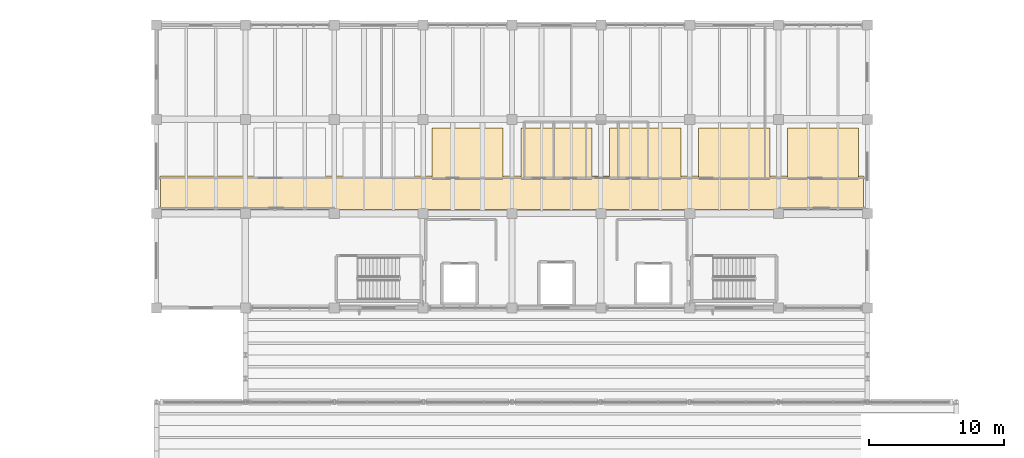
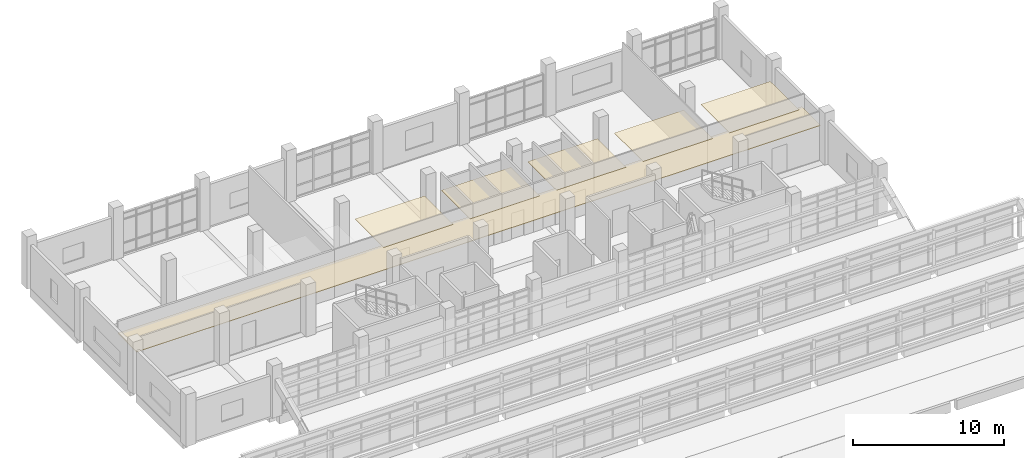
# One storey, part 92 of 92: 6 coverings.
"""IFC4 building model written with IfcOpenShell, lengths in metres."""

from ifc_helpers import new_model, si_unit, direction, frame, origin, place, context, subcontext, project, spatial, polyline, outline, extrude, material, layer, layer_set, type_object, element, save


model = new_model("IFC4")

# Units and contexts
model_context = context("Model", 3, precision=1e-05, world=origin(), true_north=direction((0.0, 1.0)))
body_context = subcontext(model_context, "Body", "Model", "MODEL_VIEW")
ifc_project = project(units=[si_unit("LENGTHUNIT", "METRE"), si_unit("AREAUNIT", "SQUARE_METRE"), si_unit("VOLUMEUNIT", "CUBIC_METRE"), si_unit("PLANEANGLEUNIT", "RADIAN"), si_unit("MASSUNIT", "GRAM", prefix="KILO")], contexts=[model_context])

# Site, building, storey
site_placement = place(None, origin())
site = spatial("IfcSite", under=ifc_project, at=site_placement, CompositionType="ELEMENT")
building_placement = place(site_placement, origin())
building = spatial("IfcBuilding", under=site, at=building_placement, Name="Ciguamira Faculty of Natural Sciences", CompositionType="ELEMENT")
storey_placement = place(building_placement, frame((0.0, 0.0, 16.800048828125)))
storey = spatial("IfcBuildingStorey", under=building, at=storey_placement, Name="L04", CompositionType="ELEMENT", Elevation=16.800048828125)

# Coverings
ifc_material = material(Name="Perforated white acoustic ceiling")
ifc_layer = layer(ifc_material, 0.0400390625, Name="Perforated white acoustic ceiling")
ifc_layer_set = layer_set([ifc_layer], Name="Perforated white acoustic ceiling")
covering_type = type_object("IfcCoveringType", Name="AcousticCeiling_AC01", PredefinedType="CEILING", material=ifc_layer_set)
covering_1_placement = place(storey_placement, frame((0.0, 0.0, 2.760009765625)))
element("IfcCovering", 1, at=covering_1_placement, inside=storey, type_object=covering_type, Name="L04 corridor acoustic ceiling", PredefinedType="CEILING", context=body_context, shape_type="SweptSolid", body=[
    extrude(outline(polyline([(57.60009765625, 101.300048828125), (109.800048828125, 101.300048828125), (109.800048828125, 103.800048828125), (57.60009765625, 103.800048828125), (57.60009765625, 101.300048828125)])), origin(), (0.0, 0.0, 1.0), 0.0400390625),
])
covering_2_placement = place(storey_placement, frame((0.0, 0.0, 2.760009765625)))
element("IfcCovering", 2, at=covering_2_placement, inside=storey, type_object=covering_type, Name="L04 research bay 03 acoustic ceiling", PredefinedType="CEILING", context=body_context, shape_type="SweptSolid", body=[
    extrude(outline(polyline([(77.75, 103.550048828125), (83.050048828125, 103.550048828125), (83.050048828125, 107.35009765625), (77.75, 107.35009765625), (77.75, 103.550048828125)])), origin(), (0.0, 0.0, 1.0), 0.0400390625),
])
covering_3_placement = place(storey_placement, frame((0.0, 0.0, 2.760009765625)))
element("IfcCovering", 3, at=covering_3_placement, inside=storey, type_object=covering_type, Name="L04 research bay 04 acoustic ceiling", PredefinedType="CEILING", context=body_context, shape_type="SweptSolid", body=[
    extrude(outline(polyline([(84.35009765625, 103.550048828125), (89.64990234375, 103.550048828125), (89.64990234375, 107.35009765625), (84.35009765625, 107.35009765625), (84.35009765625, 103.550048828125)])), origin(), (0.0, 0.0, 1.0), 0.0400390625),
])
covering_4_placement = place(storey_placement, frame((0.0, 0.0, 2.760009765625)))
element("IfcCovering", 4, at=covering_4_placement, inside=storey, type_object=covering_type, Name="L04 research bay 05 acoustic ceiling", PredefinedType="CEILING", context=body_context, shape_type="SweptSolid", body=[
    extrude(outline(polyline([(90.949951171875, 103.550048828125), (96.25, 103.550048828125), (96.25, 107.35009765625), (90.949951171875, 107.35009765625), (90.949951171875, 103.550048828125)])), origin(), (0.0, 0.0, 1.0), 0.0400390625),
])
covering_5_placement = place(storey_placement, frame((0.0, 0.0, 2.760009765625)))
element("IfcCovering", 5, at=covering_5_placement, inside=storey, type_object=covering_type, Name="L04 research bay 06 acoustic ceiling", PredefinedType="CEILING", context=body_context, shape_type="SweptSolid", body=[
    extrude(outline(polyline([(97.550048828125, 103.550048828125), (102.85009765625, 103.550048828125), (102.85009765625, 107.35009765625), (97.550048828125, 107.35009765625), (97.550048828125, 103.550048828125)])), origin(), (0.0, 0.0, 1.0), 0.0400390625),
])
covering_6_placement = place(storey_placement, frame((0.0, 0.0, 2.760009765625)))
element("IfcCovering", 6, at=covering_6_placement, inside=storey, type_object=covering_type, Name="L04 research bay 07 acoustic ceiling", PredefinedType="CEILING", context=body_context, shape_type="SweptSolid", body=[
    extrude(outline(polyline([(104.14990234375, 103.550048828125), (109.449951171875, 103.550048828125), (109.449951171875, 107.35009765625), (104.14990234375, 107.35009765625), (104.14990234375, 103.550048828125)])), origin(), (0.0, 0.0, 1.0), 0.0400390625),
])

save(model, "model.ifc")
